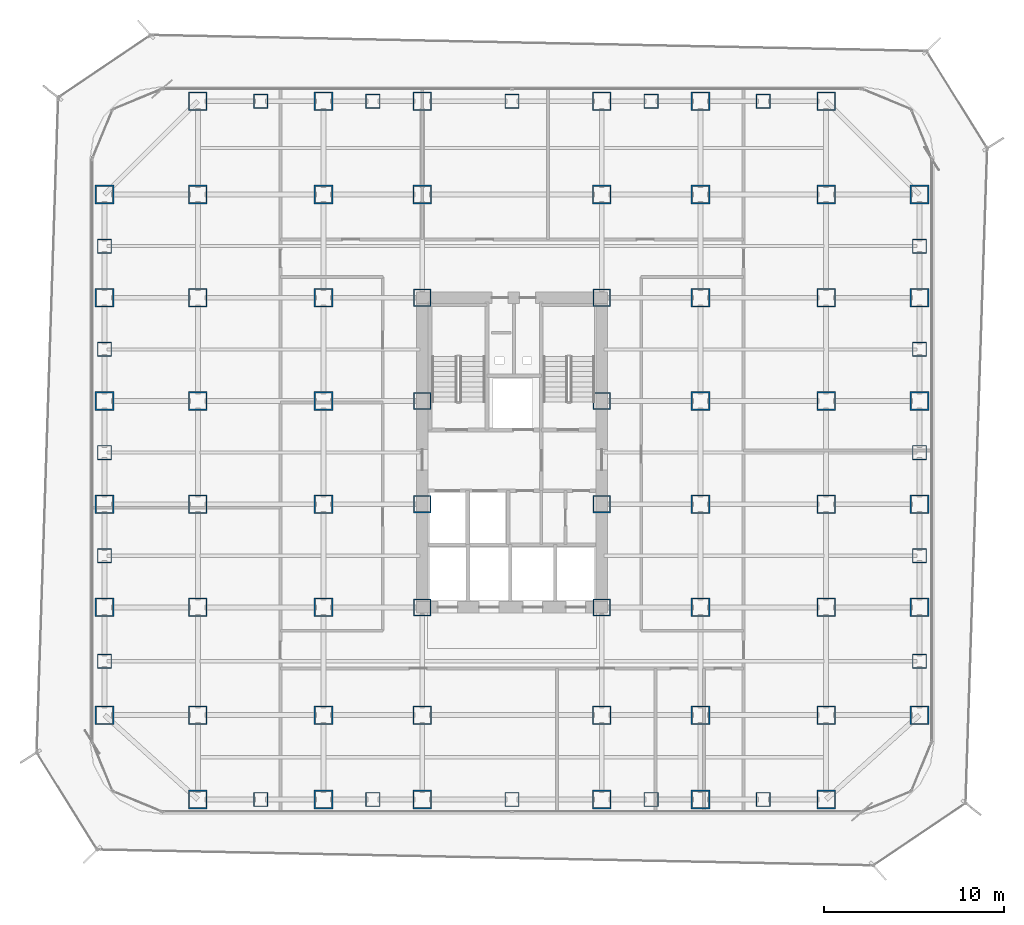
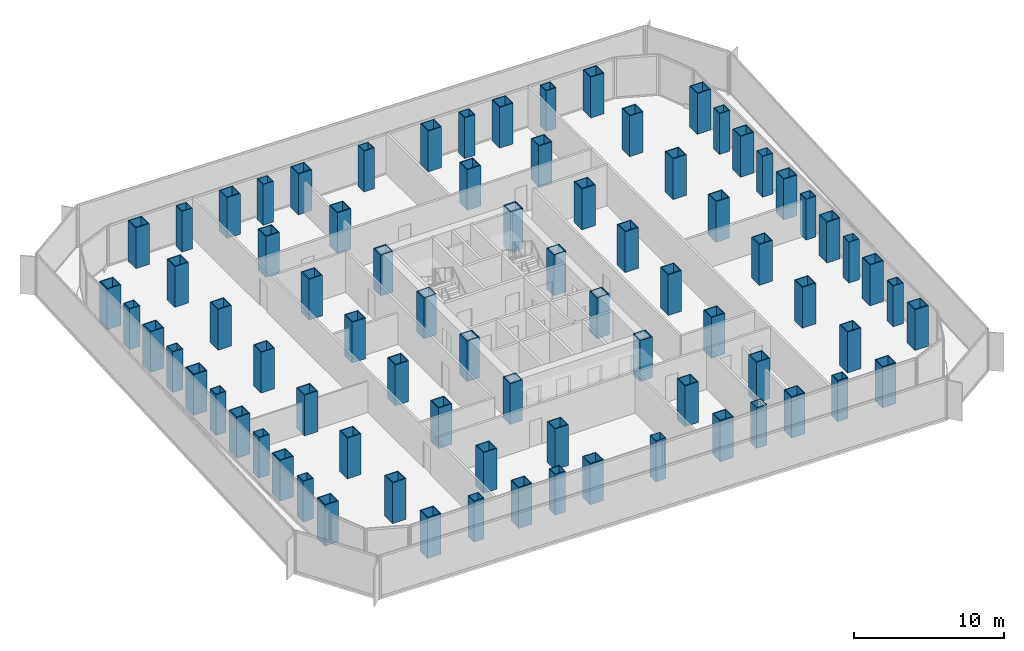
# One storey, part 1 of 21: 80 columns.
"""IFC4 building model written with IfcOpenShell, lengths in metres."""

from ifc_helpers import new_model, si_unit, direction, frame, origin, origin_2d, place, context, subcontext, project, spatial, hollow_rectangle, extrude, source, transform, mapped, material, material_profile, profile_set, type_object, element, save


model = new_model("IFC4")

# Units and contexts
model_context = context("Model", 3, precision=1e-05, world=origin(), true_north=direction((0.0, 1.0)))
body_context = subcontext(model_context, "Body", "Model", "MODEL_VIEW")
ifc_project = project(units=[si_unit("LENGTHUNIT", "METRE"), si_unit("AREAUNIT", "SQUARE_METRE"), si_unit("VOLUMEUNIT", "CUBIC_METRE"), si_unit("PLANEANGLEUNIT", "RADIAN"), si_unit("MASSUNIT", "GRAM", prefix="KILO")], contexts=[model_context])

# Site, building, storey
site_placement = place(None, origin())
site = spatial("IfcSite", under=ifc_project, at=site_placement, CompositionType="ELEMENT")
building_placement = place(site_placement, origin())
building = spatial("IfcBuilding", under=site, at=building_placement, Name="Kolveth Station Tower", CompositionType="ELEMENT")
storey_placement = place(building_placement, frame((0.0, 0.0, 47.699951171875)))
storey = spatial("IfcBuildingStorey", under=building, at=storey_placement, Name="L12", CompositionType="ELEMENT", Elevation=47.699951171875)

# Columns
ifc_material_1 = material(Name="Steel S460", Category="steel")
ifc_material_profile_1 = material_profile(ifc_material_1, hollow_rectangle(XDim=1.0400390625, YDim=1.0400390625, WallThickness=0.06494140625, at=origin_2d()), Name="BOX1040x1040x65")
ifc_profile_set_1 = profile_set([ifc_material_profile_1], Name="Steel S460")
column_type_1 = type_object("IfcColumnType", Name="Col_C2", PredefinedType="COLUMN", material=ifc_profile_set_1)
shared_shape_1 = source(origin(), body_context, "Body", "SweptSolid", [
    extrude(hollow_rectangle(XDim=1.0400390625, YDim=1.0400390625, WallThickness=0.06494140625, at=origin_2d()), origin(), (0.0, 0.0, 1.0), 3.320068359375),
])
for number, where, z_axis, x_axis, name in (
    (1, (6.0, 0.800048828125, 0.0), (0.0, 0.0, 1.0), (1.0, 0.0, 0.0), "L12 Tower Column S-X60"),
    (2, (6.0, 39.699951171875, 0.0), (0.0, 0.0, 1.0), (1.0, 0.0, 0.0), "L12 Tower Column N-X60"),
    (3, (13.0, 0.800048828125, 0.0), (0.0, 0.0, 1.0), (1.0, 0.0, 0.0), "L12 Tower Column S-X130"),
    (4, (13.0, 39.699951171875, 0.0), (0.0, 0.0, 1.0), (1.0, 0.0, 0.0), "L12 Tower Column N-X130"),
    (5, (18.5, 0.800048828125, 0.0), (0.0, 0.0, 1.0), (1.0, 0.0, 0.0), "L12 Tower Column S-X185"),
    (6, (18.5, 39.699951171875, 0.0), (0.0, 0.0, 1.0), (1.0, 0.0, 0.0), "L12 Tower Column N-X185"),
    (7, (28.5, 0.800048828125, 0.0), (0.0, 0.0, 1.0), (1.0, 0.0, 0.0), "L12 Tower Column S-X285"),
    (8, (28.5, 39.699951171875, 0.0), (0.0, 0.0, 1.0), (1.0, 0.0, 0.0), "L12 Tower Column N-X285"),
    (9, (34.0, 0.800048828125, 0.0), (0.0, 0.0, 1.0), (1.0, 0.0, 0.0), "L12 Tower Column S-X340"),
    (10, (34.0, 39.699951171875, 0.0), (0.0, 0.0, 1.0), (1.0, 0.0, 0.0), "L12 Tower Column N-X340"),
    (11, (41.0, 0.800048828125, 0.0), (0.0, 0.0, 1.0), (1.0, 0.0, 0.0), "L12 Tower Column S-X410"),
    (12, (41.0, 39.699951171875, 0.0), (0.0, 0.0, 1.0), (1.0, 0.0, 0.0), "L12 Tower Column N-X410"),
    (13, (0.800048828125, 5.5, 0.0), (0.0, 0.0, 1.0), (1.0, 0.0, 0.0), "L12 Tower Column W-Y55"),
    (14, (46.199951171875, 5.5, 0.0), (0.0, 0.0, 1.0), (1.0, 0.0, 0.0), "L12 Tower Column E-Y55"),
    (15, (0.800048828125, 11.5, 0.0), (0.0, 0.0, 1.0), (1.0, 0.0, 0.0), "L12 Tower Column W-Y115"),
    (16, (46.199951171875, 11.5, 0.0), (0.0, 0.0, 1.0), (1.0, 0.0, 0.0), "L12 Tower Column E-Y115"),
    (17, (0.800048828125, 17.25, 0.0), (0.0, 0.0, 1.0), (1.0, 0.0, 0.0), "L12 Tower Column W-Y172"),
    (18, (46.199951171875, 17.25, 0.0), (0.0, 0.0, 1.0), (1.0, 0.0, 0.0), "L12 Tower Column E-Y172"),
    (19, (0.800048828125, 23.0, 0.0), (0.0, 0.0, 1.0), (1.0, 0.0, 0.0), "L12 Tower Column W-Y230"),
    (20, (46.199951171875, 23.0, 0.0), (0.0, 0.0, 1.0), (1.0, 0.0, 0.0), "L12 Tower Column E-Y230"),
    (21, (0.800048828125, 28.75, 0.0), (0.0, 0.0, 1.0), (1.0, 0.0, 0.0), "L12 Tower Column W-Y287"),
    (22, (46.199951171875, 28.75, 0.0), (0.0, 0.0, 1.0), (1.0, 0.0, 0.0), "L12 Tower Column E-Y287"),
    (23, (0.800048828125, 34.5, 0.0), (0.0, 0.0, 1.0), (1.0, 0.0, 0.0), "L12 Tower Column W-Y345"),
    (24, (46.199951171875, 34.5, 0.0), (0.0, 0.0, 1.0), (1.0, 0.0, 0.0), "L12 Tower Column E-Y345"),
    (25, (6.0, 5.5, 0.0), (0.0, 0.0, 1.0), (1.0, 0.0, 0.0), "L12 Tower Column G-60-55"),
    (26, (6.0, 11.5, 0.0), (0.0, 0.0, 1.0), (1.0, 0.0, 0.0), "L12 Tower Column G-60-115"),
    (27, (6.0, 17.25, 0.0), (0.0, 0.0, 1.0), (1.0, 0.0, 0.0), "L12 Tower Column G-60-172"),
    (28, (6.0, 23.0, 0.0), (0.0, 0.0, 1.0), (1.0, 0.0, 0.0), "L12 Tower Column G-60-230"),
    (29, (6.0, 28.75, 0.0), (0.0, 0.0, 1.0), (1.0, 0.0, 0.0), "L12 Tower Column G-60-287"),
    (30, (6.0, 34.5, 0.0), (0.0, 0.0, 1.0), (1.0, 0.0, 0.0), "L12 Tower Column G-60-345"),
    (31, (13.0, 5.5, 0.0), (0.0, 0.0, 1.0), (1.0, 0.0, 0.0), "L12 Tower Column G-130-55"),
    (32, (13.0, 11.5, 0.0), (0.0, 0.0, 1.0), (1.0, 0.0, 0.0), "L12 Tower Column G-130-115"),
    (33, (13.0, 17.25, 0.0), (0.0, 0.0, 1.0), (1.0, 0.0, 0.0), "L12 Tower Column G-130-172"),
    (34, (13.0, 23.0, 0.0), (0.0, 0.0, 1.0), (1.0, 0.0, 0.0), "L12 Tower Column G-130-230"),
    (35, (13.0, 28.75, 0.0), (0.0, 0.0, 1.0), (1.0, 0.0, 0.0), "L12 Tower Column G-130-287"),
    (36, (13.0, 34.5, 0.0), (0.0, 0.0, 1.0), (1.0, 0.0, 0.0), "L12 Tower Column G-130-345"),
    (37, (18.5, 5.5, 0.0), (0.0, 0.0, 1.0), (1.0, 0.0, 0.0), "L12 Tower Column G-185-55"),
    (38, (18.5, 34.5, 0.0), (0.0, 0.0, 1.0), (1.0, 0.0, 0.0), "L12 Tower Column G-185-345"),
    (39, (28.5, 5.5, 0.0), (0.0, 0.0, 1.0), (1.0, 0.0, 0.0), "L12 Tower Column G-285-55"),
    (40, (28.5, 34.5, 0.0), (0.0, 0.0, 1.0), (1.0, 0.0, 0.0), "L12 Tower Column G-285-345"),
    (41, (34.0, 5.5, 0.0), (0.0, 0.0, 1.0), (1.0, 0.0, 0.0), "L12 Tower Column G-340-55"),
    (42, (34.0, 11.5, 0.0), (0.0, 0.0, 1.0), (1.0, 0.0, 0.0), "L12 Tower Column G-340-115"),
    (43, (34.0, 17.25, 0.0), (0.0, 0.0, 1.0), (1.0, 0.0, 0.0), "L12 Tower Column G-340-172"),
    (44, (34.0, 23.0, 0.0), (0.0, 0.0, 1.0), (1.0, 0.0, 0.0), "L12 Tower Column G-340-230"),
    (45, (34.0, 28.75, 0.0), (0.0, 0.0, 1.0), (1.0, 0.0, 0.0), "L12 Tower Column G-340-287"),
    (46, (34.0, 34.5, 0.0), (0.0, 0.0, 1.0), (1.0, 0.0, 0.0), "L12 Tower Column G-340-345"),
    (47, (41.0, 5.5, 0.0), (0.0, 0.0, 1.0), (1.0, 0.0, 0.0), "L12 Tower Column G-410-55"),
    (48, (41.0, 11.5, 0.0), (0.0, 0.0, 1.0), (1.0, 0.0, 0.0), "L12 Tower Column G-410-115"),
    (49, (41.0, 17.25, 0.0), (0.0, 0.0, 1.0), (1.0, 0.0, 0.0), "L12 Tower Column G-410-172"),
    (50, (41.0, 23.0, 0.0), (0.0, 0.0, 1.0), (1.0, 0.0, 0.0), "L12 Tower Column G-410-230"),
    (51, (41.0, 28.75, 0.0), (0.0, 0.0, 1.0), (1.0, 0.0, 0.0), "L12 Tower Column G-410-287"),
    (52, (41.0, 34.5, 0.0), (0.0, 0.0, 1.0), (1.0, 0.0, 0.0), "L12 Tower Column G-410-345"),
):
    element("IfcColumn", number, at=place(storey_placement, frame(where, z_axis=z_axis, x_axis=x_axis)), inside=storey, type_object=column_type_1, Name=name, PredefinedType="COLUMN", context=body_context, shape_type="MappedRepresentation", body=[
        mapped(shared_shape_1, transform((0.0, 0.0, 0.0), x_axis=(1.0, 0.0, 0.0), y_axis=(0.0, 1.0, 0.0), z_axis=(0.0, 0.0, 1.0), scale=1.0)),
    ])
ifc_material_profile_2 = material_profile(ifc_material_1, hollow_rectangle(XDim=0.9599609375, YDim=0.9599609375, WallThickness=0.06005859375, at=origin_2d()), Name="BOX960x960x60")
ifc_profile_set_2 = profile_set([ifc_material_profile_2], Name="Steel S460")
column_type_2 = type_object("IfcColumnType", Name="Col_C3", PredefinedType="COLUMN", material=ifc_profile_set_2)
shared_shape_2 = source(origin(), body_context, "Body", "SweptSolid", [
    extrude(hollow_rectangle(XDim=0.9599609375, YDim=0.9599609375, WallThickness=0.06005859375, at=origin_2d()), origin(), (0.0, 0.0, 1.0), 3.320068359375),
])
for number, where, z_axis, x_axis, name in (
    (53, (18.5, 11.5, 0.0), (0.0, 0.0, 1.0), (1.0, 0.0, 0.0), "L12 Tower Column G-185-115"),
    (54, (18.5, 17.25, 0.0), (0.0, 0.0, 1.0), (1.0, 0.0, 0.0), "L12 Tower Column G-185-172"),
    (55, (18.5, 23.0, 0.0), (0.0, 0.0, 1.0), (1.0, 0.0, 0.0), "L12 Tower Column G-185-230"),
    (56, (18.5, 28.75, 0.0), (0.0, 0.0, 1.0), (1.0, 0.0, 0.0), "L12 Tower Column G-185-287"),
    (57, (28.5, 11.5, 0.0), (0.0, 0.0, 1.0), (1.0, 0.0, 0.0), "L12 Tower Column G-285-115"),
    (58, (28.5, 17.25, 0.0), (0.0, 0.0, 1.0), (1.0, 0.0, 0.0), "L12 Tower Column G-285-172"),
    (59, (28.5, 23.0, 0.0), (0.0, 0.0, 1.0), (1.0, 0.0, 0.0), "L12 Tower Column G-285-230"),
    (60, (28.5, 28.75, 0.0), (0.0, 0.0, 1.0), (1.0, 0.0, 0.0), "L12 Tower Column G-285-287"),
):
    element("IfcColumn", number, at=place(storey_placement, frame(where, z_axis=z_axis, x_axis=x_axis)), inside=storey, type_object=column_type_2, Name=name, PredefinedType="COLUMN", context=body_context, shape_type="MappedRepresentation", body=[
        mapped(shared_shape_2, transform((0.0, 0.0, 0.0), x_axis=(1.0, 0.0, 0.0), y_axis=(0.0, 1.0, 0.0), z_axis=(0.0, 0.0, 1.0), scale=1.0)),
    ])
ifc_material_2 = material(Name="Steel S355", Category="steel")
ifc_material_profile_3 = material_profile(ifc_material_2, hollow_rectangle(XDim=0.800048828125, YDim=0.800048828125, WallThickness=0.044921875, at=origin_2d()), Name="BOX800x800x45")
ifc_profile_set_3 = profile_set([ifc_material_profile_3], Name="Steel S355")
column_type_3 = type_object("IfcColumnType", Name="Col_C5", PredefinedType="COLUMN", material=ifc_profile_set_3)
shared_shape_3 = source(origin(), body_context, "Body", "SweptSolid", [
    extrude(hollow_rectangle(XDim=0.800048828125, YDim=0.800048828125, WallThickness=0.044921875, at=origin_2d()), origin(), (0.0, 0.0, 1.0), 3.320068359375),
])
for number, where, z_axis, x_axis, name in (
    (61, (9.5, 0.800048828125, 0.0), (0.0, 0.0, 1.0), (1.0, 0.0, 0.0), "L12 Tower Column MS-X95"),
    (62, (9.5, 39.699951171875, 0.0), (0.0, 0.0, 1.0), (1.0, 0.0, 0.0), "L12 Tower Column MN-X95"),
    (63, (15.75, 0.800048828125, 0.0), (0.0, 0.0, 1.0), (1.0, 0.0, 0.0), "L12 Tower Column MS-X157"),
    (64, (15.75, 39.699951171875, 0.0), (0.0, 0.0, 1.0), (1.0, 0.0, 0.0), "L12 Tower Column MN-X157"),
    (65, (23.5, 0.800048828125, 0.0), (0.0, 0.0, 1.0), (1.0, 0.0, 0.0), "L12 Tower Column MS-X235"),
    (66, (23.5, 39.699951171875, 0.0), (0.0, 0.0, 1.0), (1.0, 0.0, 0.0), "L12 Tower Column MN-X235"),
    (67, (31.25, 0.800048828125, 0.0), (0.0, 0.0, 1.0), (1.0, 0.0, 0.0), "L12 Tower Column MS-X312"),
    (68, (31.25, 39.699951171875, 0.0), (0.0, 0.0, 1.0), (1.0, 0.0, 0.0), "L12 Tower Column MN-X312"),
    (69, (37.5, 0.800048828125, 0.0), (0.0, 0.0, 1.0), (1.0, 0.0, 0.0), "L12 Tower Column MS-X375"),
    (70, (37.5, 39.699951171875, 0.0), (0.0, 0.0, 1.0), (1.0, 0.0, 0.0), "L12 Tower Column MN-X375"),
    (71, (0.800048828125, 8.5, 0.0), (0.0, 0.0, 1.0), (1.0, 0.0, 0.0), "L12 Tower Column MW-Y85"),
    (72, (46.199951171875, 8.5, 0.0), (0.0, 0.0, 1.0), (1.0, 0.0, 0.0), "L12 Tower Column ME-Y85"),
    (73, (0.800048828125, 14.375, 0.0), (0.0, 0.0, 1.0), (1.0, 0.0, 0.0), "L12 Tower Column MW-Y143"),
    (74, (46.199951171875, 14.375, 0.0), (0.0, 0.0, 1.0), (1.0, 0.0, 0.0), "L12 Tower Column ME-Y143"),
    (75, (0.800048828125, 20.125, 0.0), (0.0, 0.0, 1.0), (1.0, 0.0, 0.0), "L12 Tower Column MW-Y201"),
    (76, (46.199951171875, 20.125, 0.0), (0.0, 0.0, 1.0), (1.0, 0.0, 0.0), "L12 Tower Column ME-Y201"),
    (77, (0.800048828125, 25.875, 0.0), (0.0, 0.0, 1.0), (1.0, 0.0, 0.0), "L12 Tower Column MW-Y258"),
    (78, (46.199951171875, 25.875, 0.0), (0.0, 0.0, 1.0), (1.0, 0.0, 0.0), "L12 Tower Column ME-Y258"),
    (79, (0.800048828125, 31.625, 0.0), (0.0, 0.0, 1.0), (1.0, 0.0, 0.0), "L12 Tower Column MW-Y316"),
    (80, (46.199951171875, 31.625, 0.0), (0.0, 0.0, 1.0), (1.0, 0.0, 0.0), "L12 Tower Column ME-Y316"),
):
    element("IfcColumn", number, at=place(storey_placement, frame(where, z_axis=z_axis, x_axis=x_axis)), inside=storey, type_object=column_type_3, Name=name, PredefinedType="COLUMN", context=body_context, shape_type="MappedRepresentation", body=[
        mapped(shared_shape_3, transform((0.0, 0.0, 0.0), x_axis=(1.0, 0.0, 0.0), y_axis=(0.0, 1.0, 0.0), z_axis=(0.0, 0.0, 1.0), scale=1.0)),
    ])

save(model, "model.ifc")
